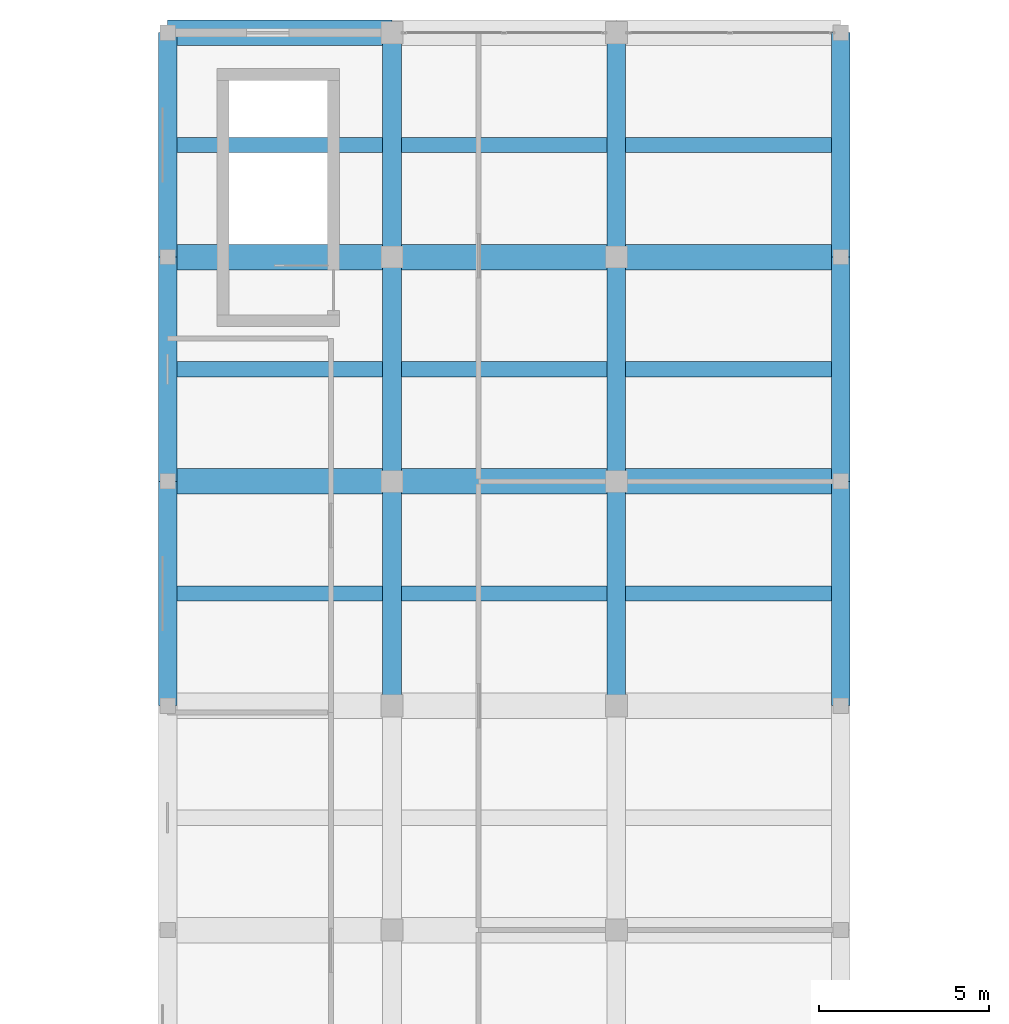
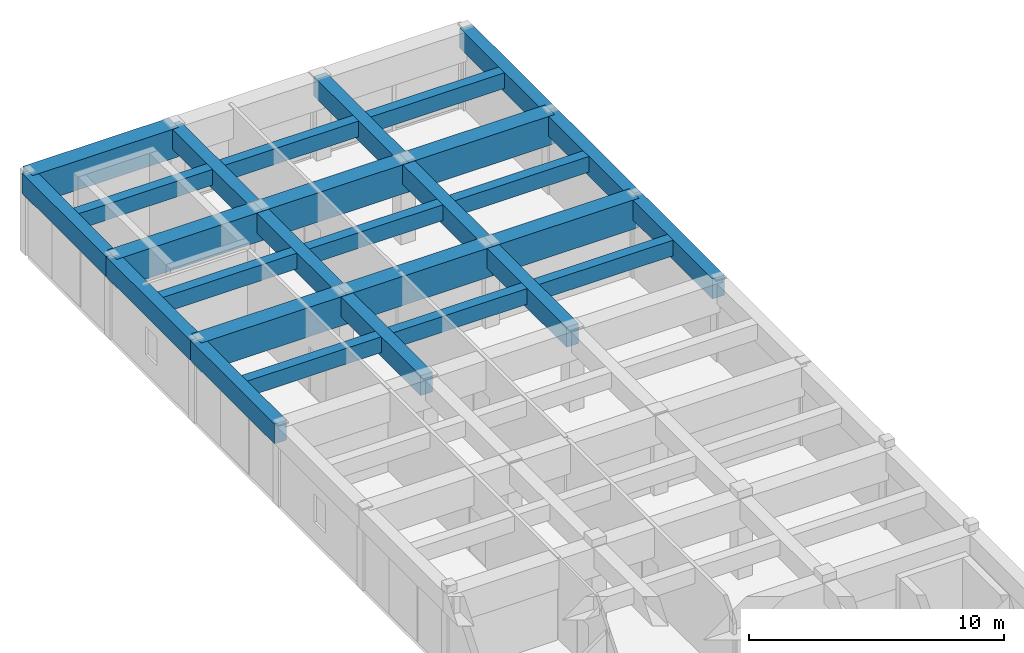
# One storey, part 91 of 134: 28 beams.
"""IFC4 building model written with IfcOpenShell, lengths in metres."""

from ifc_helpers import new_model, si_unit, direction, frame, origin, origin_2d, place, context, subcontext, project, spatial, rectangle, extrude, material, material_profile, profile_set, type_object, element, save


model = new_model("IFC4")

# Units and contexts
model_context = context("Model", 3, precision=1e-05, world=origin(), true_north=direction((0.0, 1.0)))
body_context = subcontext(model_context, "Body", "Model", "MODEL_VIEW")
ifc_project = project(units=[si_unit("LENGTHUNIT", "METRE"), si_unit("AREAUNIT", "SQUARE_METRE"), si_unit("VOLUMEUNIT", "CUBIC_METRE"), si_unit("PLANEANGLEUNIT", "RADIAN"), si_unit("MASSUNIT", "GRAM", prefix="KILO")], contexts=[model_context])

# Site, building, storey
site_placement = place(None, origin())
site = spatial("IfcSite", under=ifc_project, at=site_placement, CompositionType="ELEMENT")
building_placement = place(site_placement, origin())
building = spatial("IfcBuilding", under=site, at=building_placement, Name="Karori Crest Natural Sciences Institute", CompositionType="ELEMENT")
storey_placement = place(building_placement, frame((0.0, 0.0, 21.699951171875)))
storey = spatial("IfcBuildingStorey", under=building, at=storey_placement, Name="L05", CompositionType="ELEMENT", Elevation=21.699951171875)

# Beams
ifc_material = material(Name="Concrete 50 MPa", Category="concrete")
ifc_material_profile_1 = material_profile(ifc_material, rectangle(XDim=0.75, YDim=1.39990234375, at=origin_2d()), Name="RCB750x1400")
ifc_profile_set_1 = profile_set([ifc_material_profile_1], Name="Concrete 50 MPa")
beam_type_1 = type_object("IfcBeamType", Name="BT-17", PredefinedType="BEAM", material=ifc_profile_set_1)
beam_1_placement = place(storey_placement, frame((7.39990234375, 147.800048828125, 3.150146484375), z_axis=(1.0, 0.0, 0.0), x_axis=(0.0, 1.0, 0.0)))
element("IfcBeam", 1, at=beam_1_placement, inside=storey, type_object=beam_type_1, Name="Beam B-1845", PredefinedType="BEAM", context=body_context, shape_type="SweptSolid", body=[
    extrude(rectangle(XDim=0.75, YDim=1.39990234375, at=origin_2d()), origin(), (0.0, 0.0, 1.0), 6.60009765625),
])
ifc_material_profile_2 = material_profile(ifc_material, rectangle(XDim=0.75, YDim=1.39990234375, at=origin_2d()), Name="RCB750x1400")
ifc_profile_set_2 = profile_set([ifc_material_profile_2], Name="Concrete 50 MPa")
beam_type_2 = type_object("IfcBeamType", Name="BT-17-IL", PredefinedType="BEAM", material=ifc_profile_set_2)
for number, where, z_axis, x_axis, name in (
    (2, (7.39990234375, 134.60009765625, 3.150146484375), (1.0, 0.0, 0.0), (0.0, 1.0, 0.0), "Beam B-1839"),
    (3, (14.0, 134.60009765625, 3.150146484375), (1.0, 0.0, 0.0), (0.0, 1.0, 0.0), "Beam B-1840"),
):
    element("IfcBeam", number, at=place(storey_placement, frame(where, z_axis=z_axis, x_axis=x_axis)), inside=storey, type_object=beam_type_2, Name=name, PredefinedType="BEAM", context=body_context, shape_type="SweptSolid", body=[
        extrude(rectangle(XDim=0.75, YDim=1.39990234375, at=origin_2d()), origin(), (0.0, 0.0, 1.0), 6.60009765625),
    ])
beam_2_placement = place(storey_placement, frame((20.60009765625, 134.60009765625, 3.150146484375), z_axis=(1.0, 0.0, 0.0), x_axis=(0.0, 1.0, 0.0)))
element("IfcBeam", 4, at=beam_2_placement, inside=storey, type_object=beam_type_2, Name="Beam B-1841", PredefinedType="BEAM", context=body_context, shape_type="SweptSolid", body=[
    extrude(rectangle(XDim=0.75, YDim=1.39990234375, at=origin_2d()), origin(), (0.0, 0.0, 1.0), 6.599853515625),
])
for number, where, z_axis, x_axis, name in (
    (5, (7.39990234375, 141.199951171875, 3.150146484375), (1.0, 0.0, 0.0), (0.0, 1.0, 0.0), "Beam B-1842"),
    (6, (14.0, 141.199951171875, 3.150146484375), (1.0, 0.0, 0.0), (0.0, 1.0, 0.0), "Beam B-1843"),
):
    element("IfcBeam", number, at=place(storey_placement, frame(where, z_axis=z_axis, x_axis=x_axis)), inside=storey, type_object=beam_type_2, Name=name, PredefinedType="BEAM", context=body_context, shape_type="SweptSolid", body=[
        extrude(rectangle(XDim=0.75, YDim=1.39990234375, at=origin_2d()), origin(), (0.0, 0.0, 1.0), 6.60009765625),
    ])
beam_3_placement = place(storey_placement, frame((20.60009765625, 141.199951171875, 3.150146484375), z_axis=(1.0, 0.0, 0.0), x_axis=(0.0, 1.0, 0.0)))
element("IfcBeam", 7, at=beam_3_placement, inside=storey, type_object=beam_type_2, Name="Beam B-1844", PredefinedType="BEAM", context=body_context, shape_type="SweptSolid", body=[
    extrude(rectangle(XDim=0.75, YDim=1.39990234375, at=origin_2d()), origin(), (0.0, 0.0, 1.0), 6.599853515625),
])
ifc_material_profile_3 = material_profile(ifc_material, rectangle(XDim=0.550048828125, YDim=0.949951171875, at=origin_2d()), Name="RCB550x950")
ifc_profile_set_3 = profile_set([ifc_material_profile_3], Name="Concrete 50 MPa")
beam_type_3 = type_object("IfcBeamType", Name="BT-34", PredefinedType="BEAM", material=ifc_profile_set_3)
beam_4_placement = place(storey_placement, frame((7.39990234375, 128.0, 3.375), z_axis=(0.0, 1.0, 0.0), x_axis=(-1.0, 0.0, 0.0)))
element("IfcBeam", 8, at=beam_4_placement, inside=storey, type_object=beam_type_3, Name="Beam B-1853", PredefinedType="BEAM", context=body_context, shape_type="SweptSolid", body=[
    extrude(rectangle(XDim=0.550048828125, YDim=0.949951171875, at=origin_2d()), origin(), (0.0, 0.0, 1.0), 6.60009765625),
])
beam_5_placement = place(storey_placement, frame((7.39990234375, 134.60009765625, 3.375), z_axis=(0.0, 1.0, 0.0), x_axis=(-1.0, 0.0, 0.0)))
element("IfcBeam", 9, at=beam_5_placement, inside=storey, type_object=beam_type_3, Name="Beam B-1854", PredefinedType="BEAM", context=body_context, shape_type="SweptSolid", body=[
    extrude(rectangle(XDim=0.550048828125, YDim=0.949951171875, at=origin_2d()), origin(), (0.0, 0.0, 1.0), 6.599853515625),
])
for number, where, z_axis, x_axis, name in (
    (10, (7.39990234375, 141.199951171875, 3.375), (0.0, 1.0, 0.0), (-1.0, 0.0, 0.0), "Beam B-1855"),
    (11, (27.199951171875, 128.0, 3.375), (0.0, 1.0, 0.0), (-1.0, 0.0, 0.0), "Beam B-1877"),
):
    element("IfcBeam", number, at=place(storey_placement, frame(where, z_axis=z_axis, x_axis=x_axis)), inside=storey, type_object=beam_type_3, Name=name, PredefinedType="BEAM", context=body_context, shape_type="SweptSolid", body=[
        extrude(rectangle(XDim=0.550048828125, YDim=0.949951171875, at=origin_2d()), origin(), (0.0, 0.0, 1.0), 6.60009765625),
    ])
beam_6_placement = place(storey_placement, frame((27.199951171875, 134.60009765625, 3.375), z_axis=(0.0, 1.0, 0.0), x_axis=(-1.0, 0.0, 0.0)))
element("IfcBeam", 12, at=beam_6_placement, inside=storey, type_object=beam_type_3, Name="Beam B-1878", PredefinedType="BEAM", context=body_context, shape_type="SweptSolid", body=[
    extrude(rectangle(XDim=0.550048828125, YDim=0.949951171875, at=origin_2d()), origin(), (0.0, 0.0, 1.0), 6.599853515625),
])
beam_7_placement = place(storey_placement, frame((27.199951171875, 141.199951171875, 3.375), z_axis=(0.0, 1.0, 0.0), x_axis=(-1.0, 0.0, 0.0)))
element("IfcBeam", 13, at=beam_7_placement, inside=storey, type_object=beam_type_3, Name="Beam B-1879", PredefinedType="BEAM", context=body_context, shape_type="SweptSolid", body=[
    extrude(rectangle(XDim=0.550048828125, YDim=0.949951171875, at=origin_2d()), origin(), (0.0, 0.0, 1.0), 6.60009765625),
])
ifc_material_profile_4 = material_profile(ifc_material, rectangle(XDim=0.550048828125, YDim=0.949951171875, at=origin_2d()), Name="RCB550x950")
ifc_profile_set_4 = profile_set([ifc_material_profile_4], Name="Concrete 50 MPa")
beam_type_4 = type_object("IfcBeamType", Name="BT-34-IL", PredefinedType="BEAM", material=ifc_profile_set_4)
beam_8_placement = place(storey_placement, frame((14.0, 128.0, 3.375), z_axis=(0.0, 1.0, 0.0), x_axis=(-1.0, 0.0, 0.0)))
element("IfcBeam", 14, at=beam_8_placement, inside=storey, type_object=beam_type_4, Name="Beam B-1861", PredefinedType="BEAM", context=body_context, shape_type="SweptSolid", body=[
    extrude(rectangle(XDim=0.550048828125, YDim=0.949951171875, at=origin_2d()), origin(), (0.0, 0.0, 1.0), 6.60009765625),
])
beam_9_placement = place(storey_placement, frame((14.0, 134.60009765625, 3.375), z_axis=(0.0, 1.0, 0.0), x_axis=(-1.0, 0.0, 0.0)))
element("IfcBeam", 15, at=beam_9_placement, inside=storey, type_object=beam_type_4, Name="Beam B-1862", PredefinedType="BEAM", context=body_context, shape_type="SweptSolid", body=[
    extrude(rectangle(XDim=0.550048828125, YDim=0.949951171875, at=origin_2d()), origin(), (0.0, 0.0, 1.0), 6.599853515625),
])
for number, where, z_axis, x_axis, name in (
    (16, (14.0, 141.199951171875, 3.375), (0.0, 1.0, 0.0), (-1.0, 0.0, 0.0), "Beam B-1863"),
    (17, (20.60009765625, 128.0, 3.375), (0.0, 1.0, 0.0), (-1.0, 0.0, 0.0), "Beam B-1869"),
):
    element("IfcBeam", number, at=place(storey_placement, frame(where, z_axis=z_axis, x_axis=x_axis)), inside=storey, type_object=beam_type_4, Name=name, PredefinedType="BEAM", context=body_context, shape_type="SweptSolid", body=[
        extrude(rectangle(XDim=0.550048828125, YDim=0.949951171875, at=origin_2d()), origin(), (0.0, 0.0, 1.0), 6.60009765625),
    ])
beam_10_placement = place(storey_placement, frame((20.60009765625, 134.60009765625, 3.375), z_axis=(0.0, 1.0, 0.0), x_axis=(-1.0, 0.0, 0.0)))
element("IfcBeam", 18, at=beam_10_placement, inside=storey, type_object=beam_type_4, Name="Beam B-1870", PredefinedType="BEAM", context=body_context, shape_type="SweptSolid", body=[
    extrude(rectangle(XDim=0.550048828125, YDim=0.949951171875, at=origin_2d()), origin(), (0.0, 0.0, 1.0), 6.599853515625),
])
beam_11_placement = place(storey_placement, frame((20.60009765625, 141.199951171875, 3.375), z_axis=(0.0, 1.0, 0.0), x_axis=(-1.0, 0.0, 0.0)))
element("IfcBeam", 19, at=beam_11_placement, inside=storey, type_object=beam_type_4, Name="Beam B-1871", PredefinedType="BEAM", context=body_context, shape_type="SweptSolid", body=[
    extrude(rectangle(XDim=0.550048828125, YDim=0.949951171875, at=origin_2d()), origin(), (0.0, 0.0, 1.0), 6.60009765625),
])
ifc_material_profile_5 = material_profile(ifc_material, rectangle(XDim=0.449951171875, YDim=0.75, at=origin_2d()), Name="RCB450x750")
ifc_profile_set_5 = profile_set([ifc_material_profile_5], Name="Concrete 50 MPa")
beam_type_5 = type_object("IfcBeamType", Name="BT-35", PredefinedType="BEAM", material=ifc_profile_set_5)
for number, where, z_axis, x_axis, name in (
    (20, (7.675048828125, 131.300048828125, 3.47509765625), (1.0, 0.0, 0.0), (0.0, 1.0, 0.0), "Beam B-1883"),
    (21, (7.675048828125, 137.89990234375, 3.47509765625), (1.0, 0.0, 0.0), (0.0, 1.0, 0.0), "Beam B-1884"),
    (22, (7.675048828125, 144.5, 3.47509765625), (1.0, 0.0, 0.0), (0.0, 1.0, 0.0), "Beam B-1885"),
    (23, (14.27490234375, 131.300048828125, 3.47509765625), (1.0, 0.0, 0.0), (0.0, 1.0, 0.0), "Beam B-1891"),
    (24, (14.27490234375, 137.89990234375, 3.47509765625), (1.0, 0.0, 0.0), (0.0, 1.0, 0.0), "Beam B-1892"),
    (25, (14.27490234375, 144.5, 3.47509765625), (1.0, 0.0, 0.0), (0.0, 1.0, 0.0), "Beam B-1893"),
    (26, (20.875, 131.300048828125, 3.47509765625), (1.0, 0.0, 0.0), (0.0, 1.0, 0.0), "Beam B-1898"),
    (27, (20.875, 137.89990234375, 3.47509765625), (1.0, 0.0, 0.0), (0.0, 1.0, 0.0), "Beam B-1899"),
    (28, (20.875, 144.5, 3.47509765625), (1.0, 0.0, 0.0), (0.0, 1.0, 0.0), "Beam B-1900"),
):
    element("IfcBeam", number, at=place(storey_placement, frame(where, z_axis=z_axis, x_axis=x_axis)), inside=storey, type_object=beam_type_5, Name=name, PredefinedType="BEAM", context=body_context, shape_type="SweptSolid", body=[
        extrude(rectangle(XDim=0.449951171875, YDim=0.75, at=origin_2d()), origin(), (0.0, 0.0, 1.0), 6.050048828125),
    ])

save(model, "model.ifc")
